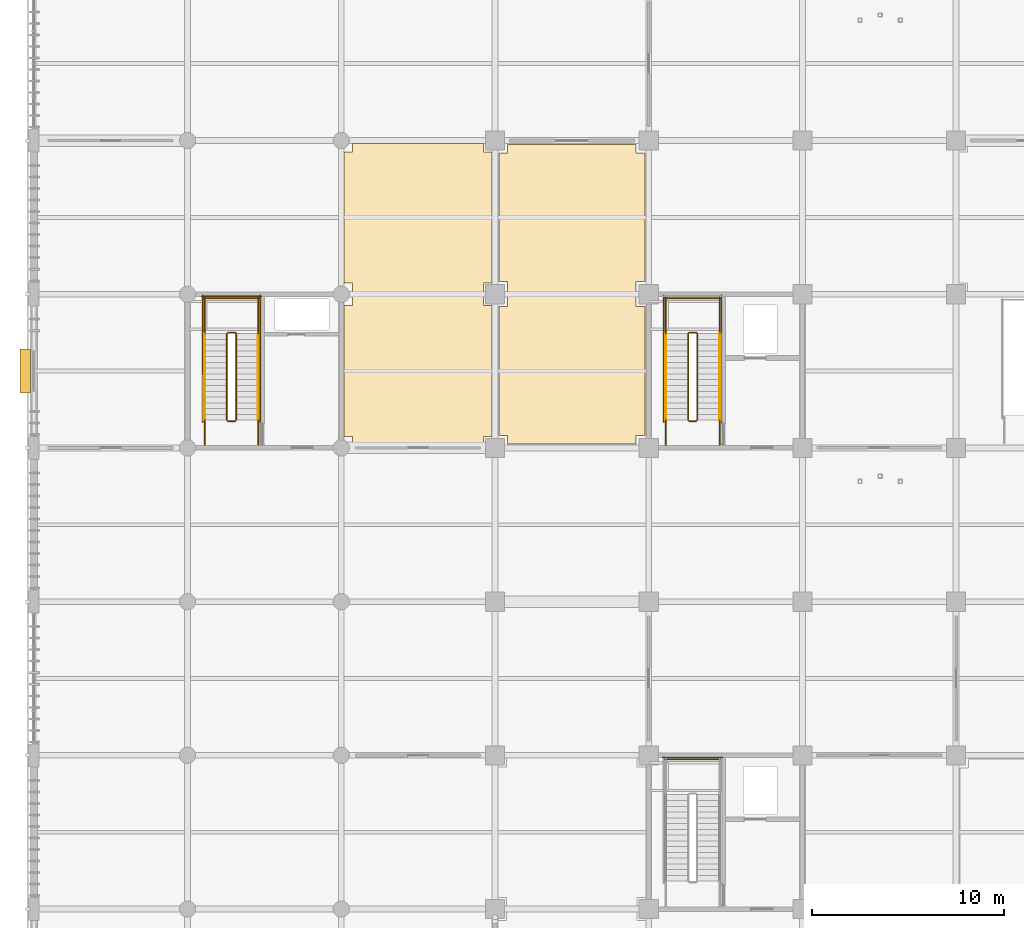
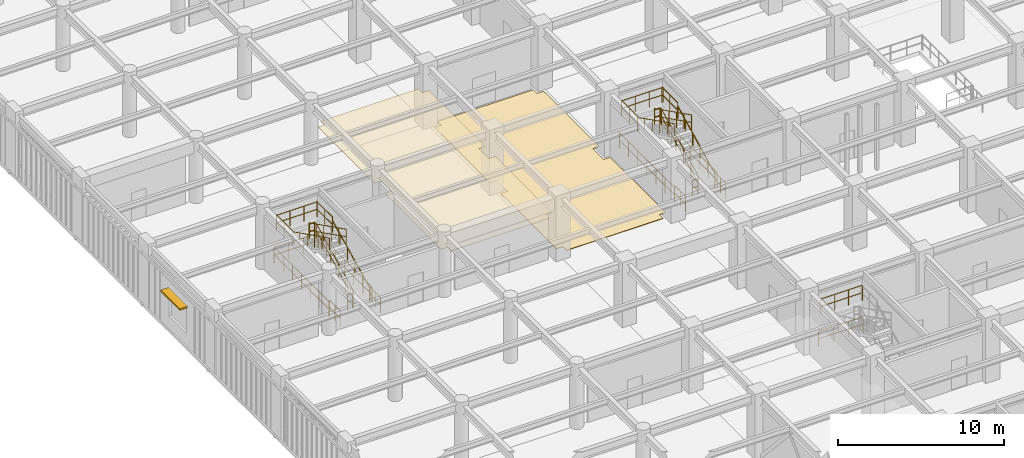
# One storey, part 102 of 117: 29 railings, 2 coverings, 1 shading device.
"""IFC4 building model written with IfcOpenShell, lengths in metres."""

import ifcopenshell
import ifcopenshell.guid

model = None  # the IFC model being written
_history = None  # IfcOwnerHistory: only IFC2X3 demands one
_inside = {}  # id of a spatial element -> (the spatial element, [elements in it])
_under = {}  # id of a project, library or spatial element -> (it, [spatial elements below it])
_declared = {}  # id of a project -> (the project, [libraries it declares])
_typed = {}  # id of a type object -> (the type object, [elements of that type])
_made_of = {}  # id of a material, layer set ... -> (it, [elements and type objects made of it])


def new_model(schema):
    """Start an empty IFC model of exactly this schema.

    Asked for "IFC4X3", IfcOpenShell would pick the latest addendum, in which some entities
    have other attributes; the version numbers below select the first issue.
    IFC2X3 requires an IfcOwnerHistory on every rooted entity: one is made here for all.
    """
    global model, _history
    if schema == "IFC4X3":
        model = ifcopenshell.file(schema_version=(4, 3, 0, 0))
    else:
        model = ifcopenshell.file(schema=schema)
    _inside.clear()
    _under.clear()
    _declared.clear()
    _typed.clear()
    _made_of.clear()
    _history = None
    if model.schema == "IFC2X3":
        org = make("IfcOrganization", Name="unknown")
        user = make(
            "IfcPersonAndOrganization",
            ThePerson=make("IfcPerson", FamilyName="unknown"),
            TheOrganization=org,
        )
        app = make(
            "IfcApplication",
            ApplicationDeveloper=org,
            Version="unknown",
            ApplicationFullName="unknown",
            ApplicationIdentifier="unknown",
        )
        _history = make(
            "IfcOwnerHistory",
            OwningUser=user,
            OwningApplication=app,
            ChangeAction="ADDED",
            CreationDate=0,
        )
    return model


def make(cls, **values):
    """One entity of the class cls with the attributes given. An attribute that is None is left unset."""
    return model.create_entity(
        cls, **{name: value for name, value in values.items() if value is not None}
    )


def rooted(cls, **values):
    """An entity with a GlobalId (a new one), such as an element, a storey or a relation."""
    return make(cls, GlobalId=ifcopenshell.guid.new(), OwnerHistory=_history, **values)


def si_unit(unit_type, name, prefix=None):
    """IfcSIUnit, for example si_unit("LENGTHUNIT", "METRE", prefix="MILLI")."""
    return make("IfcSIUnit", UnitType=unit_type, Prefix=prefix, Name=name)


def assignment(units):
    """IfcUnitAssignment: the units of a project."""
    return None if units is None else make("IfcUnitAssignment", Units=units)


def point(xyz):
    """IfcCartesianPoint."""
    return None if xyz is None else make("IfcCartesianPoint", Coordinates=xyz)


def direction(xyz):
    """IfcDirection."""
    return None if xyz is None else make("IfcDirection", DirectionRatios=xyz)


def frame(location, z_axis=None, x_axis=None):
    """IfcAxis2Placement3D, a coordinate frame: its origin and axes. An axis left out is left unset."""
    return make(
        "IfcAxis2Placement3D",
        Location=point(location),
        Axis=direction(z_axis),
        RefDirection=direction(x_axis),
    )


def frame_2d(location, x_axis=None):
    """IfcAxis2Placement2D, a coordinate frame in the plane: its origin and x axis."""
    return make(
        "IfcAxis2Placement2D", Location=point(location), RefDirection=direction(x_axis)
    )


def origin():
    """The frame at (0, 0, 0) with its axes left unset."""
    return frame((0.0, 0.0, 0.0))


def origin_2d():
    """The frame at (0, 0) in the plane with its x axis left unset."""
    return frame_2d((0.0, 0.0))


def place(relative_to, where):
    """IfcLocalPlacement: puts the frame where relative to a parent placement (None: the world)."""
    return make(
        "IfcLocalPlacement", PlacementRelTo=relative_to, RelativePlacement=where
    )


def context(
    kind, dimensions, precision=None, world=None, true_north=None, identifier=None
):
    """IfcGeometricRepresentationContext, for example the 3D "Model" context."""
    return make(
        "IfcGeometricRepresentationContext",
        ContextIdentifier=identifier,
        ContextType=kind,
        CoordinateSpaceDimension=dimensions,
        Precision=precision,
        WorldCoordinateSystem=world,
        TrueNorth=true_north,
    )


def subcontext(parent, identifier, kind, view, scale=None):
    """IfcGeometricRepresentationSubContext, for example "Body" below "Model"."""
    return make(
        "IfcGeometricRepresentationSubContext",
        ContextIdentifier=identifier,
        ContextType=kind,
        ParentContext=parent,
        TargetScale=scale,
        TargetView=view,
    )


def project(units=None, contexts=None):
    """IfcProject with its units and contexts."""
    return rooted(
        "IfcProject",
        Name="project",
        RepresentationContexts=contexts,
        UnitsInContext=assignment(units),
    )


def spatial(cls, under=None, at=None, **own):
    """A site, building, storey or space (cls), placed at a placement, below another one or the project."""
    s = rooted(cls, ObjectPlacement=at, **own)
    if under is not None:
        _under.setdefault(under.id(), (under, []))[1].append(s)
    return s


def polyline(points):
    """IfcPolyline through the points."""
    return make("IfcPolyline", Points=[point(p) for p in points])


def profile(cls, at=None, kind="AREA", **sizes):
    """A parametric profile (cls). Its sizes go by their IFC names, for example OverallWidth=200.0."""
    return make(cls, ProfileType=kind, Position=at, **sizes)


def rectangle(**sizes):
    """IfcRectangleProfileDef."""
    return profile("IfcRectangleProfileDef", **sizes)


def circle(**sizes):
    """IfcCircleProfileDef."""
    return profile("IfcCircleProfileDef", **sizes)


def outline(outer, holes=None, kind="AREA"):
    """IfcArbitraryClosedProfileDef: a profile drawn as a closed curve; with holes, ...WithVoids."""
    if holes is None:
        return make("IfcArbitraryClosedProfileDef", ProfileType=kind, OuterCurve=outer)
    return make(
        "IfcArbitraryProfileDefWithVoids",
        ProfileType=kind,
        OuterCurve=outer,
        InnerCurves=holes,
    )


def extrude(swept, where, along, depth):
    """IfcExtrudedAreaSolid: the profile swept, set in the frame where, extruded along a direction by depth."""
    return make(
        "IfcExtrudedAreaSolid",
        SweptArea=swept,
        Position=where,
        ExtrudedDirection=direction(along),
        Depth=depth,
    )


def shape(context_of_items, identifier, shape_type, items):
    """IfcShapeRepresentation: the items that make up one representation, for example the "Body"."""
    return make(
        "IfcShapeRepresentation",
        ContextOfItems=context_of_items,
        RepresentationIdentifier=identifier,
        RepresentationType=shape_type,
        Items=items,
    )


def material(Name=None, Category=None):
    """IfcMaterial."""
    return make("IfcMaterial", Name=Name, Category=Category)


def layer(
    of_material, thickness, ventilated=None, Name=None, Category=None, Priority=None
):
    """IfcMaterialLayer: one layer of a wall or slab, of a material (None: an air gap)."""
    return make(
        "IfcMaterialLayer",
        Material=of_material,
        LayerThickness=thickness,
        IsVentilated=ventilated,
        Name=Name,
        Category=Category,
        Priority=Priority,
    )


def layer_set(layers, Name=None):
    """IfcMaterialLayerSet."""
    return make("IfcMaterialLayerSet", MaterialLayers=layers, LayerSetName=Name)


def made_of(thing, what):
    """Note that an element or type object is made of a material, layer set ...; save() writes the relation."""
    if what is not None:
        _made_of.setdefault(what.id(), (what, []))[1].append(thing)
    return thing


def type_object(cls, material=None, **own):
    """A type object (cls), such as IfcWallType, which elements share."""
    return made_of(rooted(cls, **own), material)


def element(
    cls,
    number,
    at=None,
    inside=None,
    cuts=None,
    type_object=None,
    material=None,
    context=None,
    identifier="Body",
    shape_type=None,
    held_by="IfcProductDefinitionShape",
    body=None,
    shapes=None,
    **own,
):
    """One element of the class cls, such as IfcWall. Its Tag is "e" and its number.

    at: its placement. inside: the storey or other place that contains it. cuts: it is an
    opening in that element (IfcRelVoidsElement). A single representation is given by context,
    identifier, shape_type and body (its items); several are given by shapes. held_by: the class
    of the entity that holds the representations. save() writes the other relations.
    """
    e = rooted(cls, Tag="e%d" % number, ObjectPlacement=at, **own)
    if body is not None:
        shapes = [shape(context, identifier, shape_type, body)]
    if shapes is not None:
        e.Representation = make(held_by, Representations=shapes)
    if inside is not None:
        _inside.setdefault(inside.id(), (inside, []))[1].append(e)
    if cuts is not None:
        rooted(
            "IfcRelVoidsElement", RelatingBuildingElement=cuts, RelatedOpeningElement=e
        )
    if type_object is not None:
        _typed.setdefault(type_object.id(), (type_object, []))[1].append(e)
    return made_of(e, material)


def aggregate(whole, parts):
    """IfcRelAggregates: a whole, such as a stair, and the parts it consists of."""
    return rooted("IfcRelAggregates", RelatingObject=whole, RelatedObjects=parts)


def save(model, path):
    """Write the relations noted so far, then the file.

    IfcRelAggregates (storeys below a building ...), IfcRelContainedInSpatialStructure (elements
    in a storey), IfcRelDefinesByType, IfcRelAssociatesMaterial and IfcRelDeclares: one each for
    every whole, place, type object, material and project.
    """
    for whole, parts in _under.values():
        aggregate(whole, parts)
    for where, things in _inside.values():
        rooted(
            "IfcRelContainedInSpatialStructure",
            RelatedElements=things,
            RelatingStructure=where,
        )
    for kind, things in _typed.values():
        rooted("IfcRelDefinesByType", RelatedObjects=things, RelatingType=kind)
    for what, things in _made_of.values():
        rooted("IfcRelAssociatesMaterial", RelatedObjects=things, RelatingMaterial=what)
    for by, libraries in _declared.values():
        rooted("IfcRelDeclares", RelatingContext=by, RelatedDefinitions=libraries)
    model.write(path)


model = new_model("IFC4")

# Units and contexts
model_context = context("Model", 3, precision=1e-05, world=origin(), true_north=direction((0.0, 1.0)))
body_context = subcontext(model_context, "Body", "Model", "MODEL_VIEW")
ifc_project = project(units=[si_unit("LENGTHUNIT", "METRE"), si_unit("AREAUNIT", "SQUARE_METRE"), si_unit("VOLUMEUNIT", "CUBIC_METRE"), si_unit("PLANEANGLEUNIT", "RADIAN"), si_unit("MASSUNIT", "GRAM", prefix="KILO")], contexts=[model_context])

# Site, building, storey
site_placement = place(None, origin())
site = spatial("IfcSite", under=ifc_project, at=site_placement, CompositionType="ELEMENT")
building_placement = place(site_placement, origin())
building = spatial("IfcBuilding", under=site, at=building_placement, Name="Haebicheon Civic Stadium", CompositionType="ELEMENT")
storey_placement = place(building_placement, frame((0.0, 0.0, 4.800048828125)))
storey = spatial("IfcBuildingStorey", under=building, at=storey_placement, Name="L02", CompositionType="ELEMENT", Elevation=4.800048828125)

# Coverings
ifc_material_1 = material(Name="Perforated mineral-fibre acoustic board", Category="gypsum")
ifc_layer_1 = layer(ifc_material_1, 0.0400390625, Name="Perforated mineral-fibre acoustic board")
ifc_layer_set_1 = layer_set([ifc_layer_1], Name="Perforated mineral-fibre acoustic board")
covering_type_1 = type_object("IfcCoveringType", Name="COV-CLG-AC", PredefinedType="CEILING", material=ifc_layer_set_1)
covering_1_placement = place(storey_placement, frame((0.0, 0.0, 2.81005859375)))
element("IfcCovering", 1, at=covering_1_placement, inside=storey, type_object=covering_type_1, material=ifc_layer_set_1, Name="L02 Club Museum Archive Gallery acoustic ceiling", PredefinedType="CEILING", context=body_context, shape_type="SweptSolid", body=[
    extrude(outline(polyline([(16.594970703125, 80.14501953125), (16.594970703125, 80.594970703125), (16.14501953125, 80.594970703125), (16.14501953125, 87.405029296875), (16.594970703125, 87.405029296875), (16.594970703125, 88.594970703125), (16.14501953125, 88.594970703125), (16.14501953125, 95.405029296875), (16.594970703125, 95.405029296875), (16.594970703125, 95.85498046875), (23.405029296875, 95.85498046875), (23.405029296875, 95.405029296875), (23.85498046875, 95.405029296875), (23.85498046875, 88.594970703125), (23.405029296875, 88.594970703125), (23.405029296875, 87.405029296875), (23.85498046875, 87.405029296875), (23.85498046875, 80.594970703125), (23.405029296875, 80.594970703125), (23.405029296875, 80.14501953125), (16.594970703125, 80.14501953125)])), origin(), (0.0, 0.0, 1.0), 0.039794921875),
])
ifc_material_2 = material(Name="Quartz epoxy resin mortar", Category="concrete")
ifc_layer_2 = layer(ifc_material_2, 0.030029296875, Name="Quartz epoxy resin mortar")
ifc_layer_set_2 = layer_set([ifc_layer_2], Name="Quartz epoxy resin mortar")
covering_type_2 = type_object("IfcCoveringType", Name="COV-FLR-EPX", PredefinedType="FLOORING", material=ifc_layer_set_2)
covering_2_placement = place(storey_placement, origin())
element("IfcCovering", 2, at=covering_2_placement, inside=storey, type_object=covering_type_2, material=ifc_layer_set_2, Name="L02 Family Viewing Lounge non-slip floor finish", PredefinedType="FLOORING", context=body_context, shape_type="SweptSolid", body=[
    extrude(outline(polyline([(24.64990234375, 80.199951171875), (24.64990234375, 80.64990234375), (24.199951171875, 80.64990234375), (24.199951171875, 87.35009765625), (24.64990234375, 87.35009765625), (24.64990234375, 88.64990234375), (24.199951171875, 88.64990234375), (24.199951171875, 95.35009765625), (24.64990234375, 95.35009765625), (24.64990234375, 95.800048828125), (31.35009765625, 95.800048828125), (31.35009765625, 95.35009765625), (31.800048828125, 95.35009765625), (31.800048828125, 88.64990234375), (31.35009765625, 88.64990234375), (31.35009765625, 87.35009765625), (31.800048828125, 87.35009765625), (31.800048828125, 80.64990234375), (31.35009765625, 80.64990234375), (31.35009765625, 80.199951171875), (24.64990234375, 80.199951171875)])), origin(), (0.0, 0.0, 1.0), 0.030029296875),
])

# Railings
ifc_material_3 = material(Name="Galvanised painted steel SM355", Category="steel")
railing_type_1 = type_object("IfcRailingType", Name="RL-GRD-1150", PredefinedType="GUARDRAIL", material=ifc_material_3)
railing_1_placement = place(storey_placement, frame((35.739990234375, 63.7900390625, 2.39990234375)))
element("IfcRailing", 3, at=railing_1_placement, inside=storey, type_object=railing_type_1, material=ifc_material_3, Name="L02 ST-02 stair guard 5", PredefinedType="GUARDRAIL", context=body_context, shape_type="SweptSolid", body=[
    extrude(circle(Radius=0.02392578125, at=origin_2d()), frame((0.0, 0.0, 1.1259765625), z_axis=(-1.0, 0.0, 0.0), x_axis=(0.0, -1.0, 0.0)), (0.0, 0.0, 1.0), 2.89990234375),
    extrude(circle(Radius=0.02392578125, at=origin_2d()), frame((0.0, 0.0, 0.574951171875), z_axis=(-1.0, 0.0, 0.0), x_axis=(0.0, -1.0, 0.0)), (0.0, 0.0, 1.0), 2.89990234375),
    extrude(circle(Radius=0.02099609375, at=origin_2d()), origin(), (0.0, 0.0, 1.0), 1.101806640625),
    extrude(circle(Radius=0.02099609375, at=origin_2d()), frame((-0.966552734375, 0.0, 0.0)), (0.0, 0.0, 1.0), 1.101806640625),
    extrude(circle(Radius=0.02099609375, at=origin_2d()), frame((-1.933349609375, 0.0, 0.0)), (0.0, 0.0, 1.0), 1.101806640625),
    extrude(circle(Radius=0.02099609375, at=origin_2d()), frame((-2.89990234375, 0.0, 0.0)), (0.0, 0.0, 1.0), 1.101806640625),
])
railing_2_placement = place(storey_placement, frame((35.840087890625, 63.889892578125, 0.0)))
element("IfcRailing", 4, at=railing_2_placement, inside=storey, type_object=railing_type_1, material=ifc_material_3, Name="L02 ST-02 stair guard 12", PredefinedType="GUARDRAIL", context=body_context, shape_type="SweptSolid", body=[
    extrude(circle(Radius=0.02392578125, at=origin_2d()), frame((0.0, 0.0, 1.1259765625), z_axis=(-1.0, 0.0, 0.0), x_axis=(0.0, -1.0, 0.0)), (0.0, 0.0, 1.0), 3.10009765625),
    extrude(circle(Radius=0.02392578125, at=origin_2d()), frame((0.0, 0.0, 0.574951171875), z_axis=(-1.0, 0.0, 0.0), x_axis=(0.0, -1.0, 0.0)), (0.0, 0.0, 1.0), 3.10009765625),
    extrude(circle(Radius=0.02099609375, at=origin_2d()), origin(), (0.0, 0.0, 1.0), 1.101806640625),
    extrude(circle(Radius=0.02099609375, at=origin_2d()), frame((-1.033447265625, 0.0, 0.0)), (0.0, 0.0, 1.0), 1.101806640625),
    extrude(circle(Radius=0.02099609375, at=origin_2d()), frame((-2.066650390625, 0.0, 0.0)), (0.0, 0.0, 1.0), 1.101806640625),
    extrude(circle(Radius=0.02099609375, at=origin_2d()), frame((-3.10009765625, 0.0, 0.0)), (0.0, 0.0, 1.0), 1.101806640625),
])
railing_3_placement = place(storey_placement, frame((34.530029296875, 81.449951171875, 0.14990234375)))
element("IfcRailing", 5, at=railing_3_placement, inside=storey, type_object=railing_type_1, material=ifc_material_3, Name="L02 ST-03 stair guard 1", PredefinedType="GUARDRAIL", context=body_context, shape_type="SweptSolid", body=[
    extrude(circle(Radius=0.02392578125, at=origin_2d()), frame((0.0, 0.0, 1.1259765625), z_axis=(0.0, 0.894427191, 0.4472135955), x_axis=(-1.0, 0.0, 0.0)), (0.0, 0.0, 1.0), 5.03125),
    extrude(circle(Radius=0.02392578125, at=origin_2d()), frame((0.0, 0.0, 0.574951171875), z_axis=(0.0, 0.894427191, 0.4472135955), x_axis=(-1.0, 0.0, 0.0)), (0.0, 0.0, 1.0), 5.03125),
    extrude(circle(Radius=0.02099609375, at=origin_2d()), origin(), (0.0, 0.0, 1.0), 1.101806640625),
    extrude(circle(Radius=0.02099609375, at=origin_2d()), frame((0.0, 0.89990234375, 0.449951171875)), (0.0, 0.0, 1.0), 1.101806640625),
    extrude(circle(Radius=0.02099609375, at=origin_2d()), frame((0.0, 1.800048828125, 0.89990234375)), (0.0, 0.0, 1.0), 1.101806640625),
    extrude(circle(Radius=0.02099609375, at=origin_2d()), frame((0.0, 2.699951171875, 1.35009765625)), (0.0, 0.0, 1.0), 1.101806640625),
    extrude(circle(Radius=0.02099609375, at=origin_2d()), frame((0.0, 3.60009765625, 1.800048828125)), (0.0, 0.0, 1.0), 1.101806640625),
    extrude(circle(Radius=0.02099609375, at=origin_2d()), frame((0.0, 4.5, 2.25)), (0.0, 0.0, 1.0), 1.101806640625),
])
railing_4_placement = place(storey_placement, frame((34.47998046875, 86.0, 2.39990234375)))
element("IfcRailing", 6, at=railing_4_placement, inside=storey, type_object=railing_type_1, material=ifc_material_3, Name="L02 ST-03 stair guard 2", PredefinedType="GUARDRAIL", context=body_context, shape_type="SweptSolid", body=[
    extrude(circle(Radius=0.02392578125, at=origin_2d()), frame((0.0, 0.0, 1.1259765625), z_axis=(-1.0, 0.0, 0.0), x_axis=(0.0, -1.0, 0.0)), (0.0, 0.0, 1.0), 0.3798828125),
    extrude(circle(Radius=0.02392578125, at=origin_2d()), frame((0.0, 0.0, 0.574951171875), z_axis=(-1.0, 0.0, 0.0), x_axis=(0.0, -1.0, 0.0)), (0.0, 0.0, 1.0), 0.3798828125),
    extrude(circle(Radius=0.02099609375, at=origin_2d()), origin(), (0.0, 0.0, 1.0), 1.101806640625),
    extrude(circle(Radius=0.02099609375, at=origin_2d()), frame((-0.3798828125, 0.0, 0.0)), (0.0, 0.0, 1.0), 1.101806640625),
])
for number, where, name in (
    (7, (35.68994140625, 85.949951171875, 2.39990234375), "L02 ST-03 stair guard 3"),
    (8, (32.889892578125, 85.949951171875, 2.39990234375), "L02 ST-03 stair guard 4"),
):
    element("IfcRailing", number, at=place(storey_placement, frame(where)), inside=storey, type_object=railing_type_1, material=ifc_material_3, Name=name, PredefinedType="GUARDRAIL", context=body_context, shape_type="SweptSolid", body=[
        extrude(circle(Radius=0.02392578125, at=origin_2d()), frame((0.0, 0.0, 1.1259765625), z_axis=(0.0, 1.0, 0.0), x_axis=(-1.0, 0.0, 0.0)), (0.0, 0.0, 1.0), 1.89013671875),
        extrude(circle(Radius=0.02392578125, at=origin_2d()), frame((0.0, 0.0, 0.574951171875), z_axis=(0.0, 1.0, 0.0), x_axis=(-1.0, 0.0, 0.0)), (0.0, 0.0, 1.0), 1.89013671875),
        extrude(circle(Radius=0.02099609375, at=origin_2d()), origin(), (0.0, 0.0, 1.0), 1.101806640625),
        extrude(circle(Radius=0.02099609375, at=origin_2d()), frame((0.0, 0.945068359375, 0.0)), (0.0, 0.0, 1.0), 1.101806640625),
        extrude(circle(Radius=0.02099609375, at=origin_2d()), frame((0.0, 1.89013671875, 0.0)), (0.0, 0.0, 1.0), 1.101806640625),
    ])
railing_5_placement = place(storey_placement, frame((35.739990234375, 87.7900390625, 2.39990234375)))
element("IfcRailing", 9, at=railing_5_placement, inside=storey, type_object=railing_type_1, material=ifc_material_3, Name="L02 ST-03 stair guard 5", PredefinedType="GUARDRAIL", context=body_context, shape_type="SweptSolid", body=[
    extrude(circle(Radius=0.02392578125, at=origin_2d()), frame((0.0, 0.0, 1.1259765625), z_axis=(-1.0, 0.0, 0.0), x_axis=(0.0, -1.0, 0.0)), (0.0, 0.0, 1.0), 2.89990234375),
    extrude(circle(Radius=0.02392578125, at=origin_2d()), frame((0.0, 0.0, 0.574951171875), z_axis=(-1.0, 0.0, 0.0), x_axis=(0.0, -1.0, 0.0)), (0.0, 0.0, 1.0), 2.89990234375),
    extrude(circle(Radius=0.02099609375, at=origin_2d()), origin(), (0.0, 0.0, 1.0), 1.101806640625),
    extrude(circle(Radius=0.02099609375, at=origin_2d()), frame((-0.966552734375, 0.0, 0.0)), (0.0, 0.0, 1.0), 1.101806640625),
    extrude(circle(Radius=0.02099609375, at=origin_2d()), frame((-1.933349609375, 0.0, 0.0)), (0.0, 0.0, 1.0), 1.101806640625),
    extrude(circle(Radius=0.02099609375, at=origin_2d()), frame((-2.89990234375, 0.0, 0.0)), (0.0, 0.0, 1.0), 1.101806640625),
])
railing_6_placement = place(storey_placement, frame((34.050048828125, 85.949951171875, 2.550048828125)))
element("IfcRailing", 10, at=railing_6_placement, inside=storey, type_object=railing_type_1, material=ifc_material_3, Name="L02 ST-03 stair guard 6", PredefinedType="GUARDRAIL", context=body_context, shape_type="SweptSolid", body=[
    extrude(circle(Radius=0.02392578125, at=origin_2d()), frame((0.0, 0.0, 1.1259765625), z_axis=(0.0, -0.894427191, 0.4472135955), x_axis=(1.0, 0.0, 0.0)), (0.0, 0.0, 1.0), 5.03125),
    extrude(circle(Radius=0.02392578125, at=origin_2d()), frame((0.0, 0.0, 0.574951171875), z_axis=(0.0, -0.894427191, 0.4472135955), x_axis=(1.0, 0.0, 0.0)), (0.0, 0.0, 1.0), 5.03125),
    extrude(circle(Radius=0.02099609375, at=origin_2d()), origin(), (0.0, 0.0, 1.0), 1.101806640625),
    extrude(circle(Radius=0.02099609375, at=origin_2d()), frame((0.0, -0.89990234375, 0.449951171875)), (0.0, 0.0, 1.0), 1.101806640625),
    extrude(circle(Radius=0.02099609375, at=origin_2d()), frame((0.0, -1.800048828125, 0.89990234375)), (0.0, 0.0, 1.0), 1.101806640625),
    extrude(circle(Radius=0.02099609375, at=origin_2d()), frame((0.0, -2.699951171875, 1.35009765625)), (0.0, 0.0, 1.0), 1.101806640625),
    extrude(circle(Radius=0.02099609375, at=origin_2d()), frame((0.0, -3.60009765625, 1.800048828125)), (0.0, 0.0, 1.0), 1.101806640625),
    extrude(circle(Radius=0.02099609375, at=origin_2d()), frame((0.0, -4.5, 2.25)), (0.0, 0.0, 1.0), 1.101806640625),
])
railing_7_placement = place(storey_placement, frame((34.47998046875, 81.39990234375, 0.0)))
element("IfcRailing", 11, at=railing_7_placement, inside=storey, type_object=railing_type_1, material=ifc_material_3, Name="L02 ST-03 stair guard 7", PredefinedType="GUARDRAIL", context=body_context, shape_type="SweptSolid", body=[
    extrude(circle(Radius=0.02392578125, at=origin_2d()), frame((0.0, 0.0, 1.1259765625), z_axis=(-1.0, 0.0, 0.0), x_axis=(0.0, -1.0, 0.0)), (0.0, 0.0, 1.0), 0.3798828125),
    extrude(circle(Radius=0.02392578125, at=origin_2d()), frame((0.0, 0.0, 0.574951171875), z_axis=(-1.0, 0.0, 0.0), x_axis=(0.0, -1.0, 0.0)), (0.0, 0.0, 1.0), 0.3798828125),
    extrude(circle(Radius=0.02099609375, at=origin_2d()), origin(), (0.0, 0.0, 1.0), 1.101806640625),
    extrude(circle(Radius=0.02099609375, at=origin_2d()), frame((-0.3798828125, 0.0, 0.0)), (0.0, 0.0, 1.0), 1.101806640625),
])
for number, where, name in (
    (12, (35.68994140625, 80.159912109375, 0.0), "L02 ST-03 stair guard 8"),
    (13, (32.889892578125, 80.159912109375, 0.0), "L02 ST-03 stair guard 9"),
):
    element("IfcRailing", number, at=place(storey_placement, frame(where)), inside=storey, type_object=railing_type_1, material=ifc_material_3, Name=name, PredefinedType="GUARDRAIL", context=body_context, shape_type="SweptSolid", body=[
        extrude(circle(Radius=0.02392578125, at=origin_2d()), frame((0.0, 0.0, 1.1259765625), z_axis=(0.0, 1.0, 0.0), x_axis=(-1.0, 0.0, 0.0)), (0.0, 0.0, 1.0), 1.2900390625),
        extrude(circle(Radius=0.02392578125, at=origin_2d()), frame((0.0, 0.0, 0.574951171875), z_axis=(0.0, 1.0, 0.0), x_axis=(-1.0, 0.0, 0.0)), (0.0, 0.0, 1.0), 1.2900390625),
        extrude(circle(Radius=0.02099609375, at=origin_2d()), origin(), (0.0, 0.0, 1.0), 1.101806640625),
        extrude(circle(Radius=0.02099609375, at=origin_2d()), frame((0.0, 0.64501953125, 0.0)), (0.0, 0.0, 1.0), 1.101806640625),
        extrude(circle(Radius=0.02099609375, at=origin_2d()), frame((0.0, 1.2900390625, 0.0)), (0.0, 0.0, 1.0), 1.101806640625),
    ])
for number, where, name in (
    (14, (35.7900390625, 81.35009765625, 0.0), "L02 ST-03 stair guard 10"),
    (15, (32.7900390625, 81.35009765625, 0.0), "L02 ST-03 stair guard 11"),
):
    element("IfcRailing", number, at=place(storey_placement, frame(where)), inside=storey, type_object=railing_type_1, material=ifc_material_3, Name=name, PredefinedType="GUARDRAIL", context=body_context, shape_type="SweptSolid", body=[
        extrude(circle(Radius=0.02392578125, at=origin_2d()), frame((0.0, 0.0, 1.1259765625), z_axis=(0.0, 1.0, 0.0), x_axis=(-1.0, 0.0, 0.0)), (0.0, 0.0, 1.0), 6.58984375),
        extrude(circle(Radius=0.02392578125, at=origin_2d()), frame((0.0, 0.0, 0.574951171875), z_axis=(0.0, 1.0, 0.0), x_axis=(-1.0, 0.0, 0.0)), (0.0, 0.0, 1.0), 6.58984375),
        extrude(circle(Radius=0.02099609375, at=origin_2d()), origin(), (0.0, 0.0, 1.0), 1.101806640625),
        extrude(circle(Radius=0.02099609375, at=origin_2d()), frame((0.0, 1.098388671875, 0.0)), (0.0, 0.0, 1.0), 1.101806640625),
        extrude(circle(Radius=0.02099609375, at=origin_2d()), frame((0.0, 2.196533203125, 0.0)), (0.0, 0.0, 1.0), 1.101806640625),
        extrude(circle(Radius=0.02099609375, at=origin_2d()), frame((0.0, 3.294921875, 0.0)), (0.0, 0.0, 1.0), 1.101806640625),
        extrude(circle(Radius=0.02099609375, at=origin_2d()), frame((0.0, 4.393310546875, 0.0)), (0.0, 0.0, 1.0), 1.101806640625),
        extrude(circle(Radius=0.02099609375, at=origin_2d()), frame((0.0, 5.491455078125, 0.0)), (0.0, 0.0, 1.0), 1.101806640625),
        extrude(circle(Radius=0.02099609375, at=origin_2d()), frame((0.0, 6.58984375, 0.0)), (0.0, 0.0, 1.0), 1.101806640625),
    ])
railing_8_placement = place(storey_placement, frame((10.530029296875, 81.449951171875, 0.14990234375)))
element("IfcRailing", 16, at=railing_8_placement, inside=storey, type_object=railing_type_1, material=ifc_material_3, Name="L02 ST-15 stair guard 1", PredefinedType="GUARDRAIL", context=body_context, shape_type="SweptSolid", body=[
    extrude(circle(Radius=0.02392578125, at=origin_2d()), frame((0.0, 0.0, 1.1259765625), z_axis=(0.0, 0.894427191, 0.4472135955), x_axis=(-1.0, 0.0, 0.0)), (0.0, 0.0, 1.0), 5.03125),
    extrude(circle(Radius=0.02392578125, at=origin_2d()), frame((0.0, 0.0, 0.574951171875), z_axis=(0.0, 0.894427191, 0.4472135955), x_axis=(-1.0, 0.0, 0.0)), (0.0, 0.0, 1.0), 5.03125),
    extrude(circle(Radius=0.02099609375, at=origin_2d()), origin(), (0.0, 0.0, 1.0), 1.101806640625),
    extrude(circle(Radius=0.02099609375, at=origin_2d()), frame((0.0, 0.89990234375, 0.449951171875)), (0.0, 0.0, 1.0), 1.101806640625),
    extrude(circle(Radius=0.02099609375, at=origin_2d()), frame((0.0, 1.800048828125, 0.89990234375)), (0.0, 0.0, 1.0), 1.101806640625),
    extrude(circle(Radius=0.02099609375, at=origin_2d()), frame((0.0, 2.699951171875, 1.35009765625)), (0.0, 0.0, 1.0), 1.101806640625),
    extrude(circle(Radius=0.02099609375, at=origin_2d()), frame((0.0, 3.60009765625, 1.800048828125)), (0.0, 0.0, 1.0), 1.101806640625),
    extrude(circle(Radius=0.02099609375, at=origin_2d()), frame((0.0, 4.5, 2.25)), (0.0, 0.0, 1.0), 1.101806640625),
])
railing_9_placement = place(storey_placement, frame((10.47998046875, 86.0, 2.39990234375)))
element("IfcRailing", 17, at=railing_9_placement, inside=storey, type_object=railing_type_1, material=ifc_material_3, Name="L02 ST-15 stair guard 2", PredefinedType="GUARDRAIL", context=body_context, shape_type="SweptSolid", body=[
    extrude(circle(Radius=0.02392578125, at=origin_2d()), frame((0.0, 0.0, 1.1259765625), z_axis=(-1.0, 0.0, 0.0), x_axis=(0.0, -1.0, 0.0)), (0.0, 0.0, 1.0), 0.3798828125),
    extrude(circle(Radius=0.02392578125, at=origin_2d()), frame((0.0, 0.0, 0.574951171875), z_axis=(-1.0, 0.0, 0.0), x_axis=(0.0, -1.0, 0.0)), (0.0, 0.0, 1.0), 0.3798828125),
    extrude(circle(Radius=0.02099609375, at=origin_2d()), origin(), (0.0, 0.0, 1.0), 1.101806640625),
    extrude(circle(Radius=0.02099609375, at=origin_2d()), frame((-0.3798828125, 0.0, 0.0)), (0.0, 0.0, 1.0), 1.101806640625),
])
for number, where, name in (
    (18, (11.68994140625, 85.949951171875, 2.39990234375), "L02 ST-15 stair guard 3"),
    (19, (8.889892578125, 85.949951171875, 2.39990234375), "L02 ST-15 stair guard 4"),
):
    element("IfcRailing", number, at=place(storey_placement, frame(where)), inside=storey, type_object=railing_type_1, material=ifc_material_3, Name=name, PredefinedType="GUARDRAIL", context=body_context, shape_type="SweptSolid", body=[
        extrude(circle(Radius=0.02392578125, at=origin_2d()), frame((0.0, 0.0, 1.1259765625), z_axis=(0.0, 1.0, 0.0), x_axis=(-1.0, 0.0, 0.0)), (0.0, 0.0, 1.0), 1.89013671875),
        extrude(circle(Radius=0.02392578125, at=origin_2d()), frame((0.0, 0.0, 0.574951171875), z_axis=(0.0, 1.0, 0.0), x_axis=(-1.0, 0.0, 0.0)), (0.0, 0.0, 1.0), 1.89013671875),
        extrude(circle(Radius=0.02099609375, at=origin_2d()), origin(), (0.0, 0.0, 1.0), 1.101806640625),
        extrude(circle(Radius=0.02099609375, at=origin_2d()), frame((0.0, 0.945068359375, 0.0)), (0.0, 0.0, 1.0), 1.101806640625),
        extrude(circle(Radius=0.02099609375, at=origin_2d()), frame((0.0, 1.89013671875, 0.0)), (0.0, 0.0, 1.0), 1.101806640625),
    ])
railing_10_placement = place(storey_placement, frame((11.739990234375, 87.7900390625, 2.39990234375)))
element("IfcRailing", 20, at=railing_10_placement, inside=storey, type_object=railing_type_1, material=ifc_material_3, Name="L02 ST-15 stair guard 5", PredefinedType="GUARDRAIL", context=body_context, shape_type="SweptSolid", body=[
    extrude(circle(Radius=0.02392578125, at=origin_2d()), frame((0.0, 0.0, 1.1259765625), z_axis=(-1.0, 0.0, 0.0), x_axis=(0.0, -1.0, 0.0)), (0.0, 0.0, 1.0), 2.89990234375),
    extrude(circle(Radius=0.02392578125, at=origin_2d()), frame((0.0, 0.0, 0.574951171875), z_axis=(-1.0, 0.0, 0.0), x_axis=(0.0, -1.0, 0.0)), (0.0, 0.0, 1.0), 2.89990234375),
    extrude(circle(Radius=0.02099609375, at=origin_2d()), origin(), (0.0, 0.0, 1.0), 1.101806640625),
    extrude(circle(Radius=0.02099609375, at=origin_2d()), frame((-0.966552734375, 0.0, 0.0)), (0.0, 0.0, 1.0), 1.101806640625),
    extrude(circle(Radius=0.02099609375, at=origin_2d()), frame((-1.933349609375, 0.0, 0.0)), (0.0, 0.0, 1.0), 1.101806640625),
    extrude(circle(Radius=0.02099609375, at=origin_2d()), frame((-2.89990234375, 0.0, 0.0)), (0.0, 0.0, 1.0), 1.101806640625),
])
railing_11_placement = place(storey_placement, frame((10.050048828125, 85.949951171875, 2.550048828125)))
element("IfcRailing", 21, at=railing_11_placement, inside=storey, type_object=railing_type_1, material=ifc_material_3, Name="L02 ST-15 stair guard 6", PredefinedType="GUARDRAIL", context=body_context, shape_type="SweptSolid", body=[
    extrude(circle(Radius=0.02392578125, at=origin_2d()), frame((0.0, 0.0, 1.1259765625), z_axis=(0.0, -0.894427191, 0.4472135955), x_axis=(1.0, 0.0, 0.0)), (0.0, 0.0, 1.0), 5.03125),
    extrude(circle(Radius=0.02392578125, at=origin_2d()), frame((0.0, 0.0, 0.574951171875), z_axis=(0.0, -0.894427191, 0.4472135955), x_axis=(1.0, 0.0, 0.0)), (0.0, 0.0, 1.0), 5.03125),
    extrude(circle(Radius=0.02099609375, at=origin_2d()), origin(), (0.0, 0.0, 1.0), 1.101806640625),
    extrude(circle(Radius=0.02099609375, at=origin_2d()), frame((0.0, -0.89990234375, 0.449951171875)), (0.0, 0.0, 1.0), 1.101806640625),
    extrude(circle(Radius=0.02099609375, at=origin_2d()), frame((0.0, -1.800048828125, 0.89990234375)), (0.0, 0.0, 1.0), 1.101806640625),
    extrude(circle(Radius=0.02099609375, at=origin_2d()), frame((0.0, -2.699951171875, 1.35009765625)), (0.0, 0.0, 1.0), 1.101806640625),
    extrude(circle(Radius=0.02099609375, at=origin_2d()), frame((0.0, -3.60009765625, 1.800048828125)), (0.0, 0.0, 1.0), 1.101806640625),
    extrude(circle(Radius=0.02099609375, at=origin_2d()), frame((0.0, -4.5, 2.25)), (0.0, 0.0, 1.0), 1.101806640625),
])
railing_12_placement = place(storey_placement, frame((10.47998046875, 81.39990234375, 0.0)))
element("IfcRailing", 22, at=railing_12_placement, inside=storey, type_object=railing_type_1, material=ifc_material_3, Name="L02 ST-15 stair guard 7", PredefinedType="GUARDRAIL", context=body_context, shape_type="SweptSolid", body=[
    extrude(circle(Radius=0.02392578125, at=origin_2d()), frame((0.0, 0.0, 1.1259765625), z_axis=(-1.0, 0.0, 0.0), x_axis=(0.0, -1.0, 0.0)), (0.0, 0.0, 1.0), 0.3798828125),
    extrude(circle(Radius=0.02392578125, at=origin_2d()), frame((0.0, 0.0, 0.574951171875), z_axis=(-1.0, 0.0, 0.0), x_axis=(0.0, -1.0, 0.0)), (0.0, 0.0, 1.0), 0.3798828125),
    extrude(circle(Radius=0.02099609375, at=origin_2d()), origin(), (0.0, 0.0, 1.0), 1.101806640625),
    extrude(circle(Radius=0.02099609375, at=origin_2d()), frame((-0.3798828125, 0.0, 0.0)), (0.0, 0.0, 1.0), 1.101806640625),
])
for number, where, name in (
    (23, (11.68994140625, 80.159912109375, 0.0), "L02 ST-15 stair guard 8"),
    (24, (8.889892578125, 80.159912109375, 0.0), "L02 ST-15 stair guard 9"),
):
    element("IfcRailing", number, at=place(storey_placement, frame(where)), inside=storey, type_object=railing_type_1, material=ifc_material_3, Name=name, PredefinedType="GUARDRAIL", context=body_context, shape_type="SweptSolid", body=[
        extrude(circle(Radius=0.02392578125, at=origin_2d()), frame((0.0, 0.0, 1.1259765625), z_axis=(0.0, 1.0, 0.0), x_axis=(-1.0, 0.0, 0.0)), (0.0, 0.0, 1.0), 1.2900390625),
        extrude(circle(Radius=0.02392578125, at=origin_2d()), frame((0.0, 0.0, 0.574951171875), z_axis=(0.0, 1.0, 0.0), x_axis=(-1.0, 0.0, 0.0)), (0.0, 0.0, 1.0), 1.2900390625),
        extrude(circle(Radius=0.02099609375, at=origin_2d()), origin(), (0.0, 0.0, 1.0), 1.101806640625),
        extrude(circle(Radius=0.02099609375, at=origin_2d()), frame((0.0, 0.64501953125, 0.0)), (0.0, 0.0, 1.0), 1.101806640625),
        extrude(circle(Radius=0.02099609375, at=origin_2d()), frame((0.0, 1.2900390625, 0.0)), (0.0, 0.0, 1.0), 1.101806640625),
    ])
for number, where, name in (
    (25, (11.7900390625, 81.35009765625, 0.0), "L02 ST-15 stair guard 10"),
    (26, (8.7900390625, 81.35009765625, 0.0), "L02 ST-15 stair guard 11"),
):
    element("IfcRailing", number, at=place(storey_placement, frame(where)), inside=storey, type_object=railing_type_1, material=ifc_material_3, Name=name, PredefinedType="GUARDRAIL", context=body_context, shape_type="SweptSolid", body=[
        extrude(circle(Radius=0.02392578125, at=origin_2d()), frame((0.0, 0.0, 1.1259765625), z_axis=(0.0, 1.0, 0.0), x_axis=(-1.0, 0.0, 0.0)), (0.0, 0.0, 1.0), 6.58984375),
        extrude(circle(Radius=0.02392578125, at=origin_2d()), frame((0.0, 0.0, 0.574951171875), z_axis=(0.0, 1.0, 0.0), x_axis=(-1.0, 0.0, 0.0)), (0.0, 0.0, 1.0), 6.58984375),
        extrude(circle(Radius=0.02099609375, at=origin_2d()), origin(), (0.0, 0.0, 1.0), 1.101806640625),
        extrude(circle(Radius=0.02099609375, at=origin_2d()), frame((0.0, 1.098388671875, 0.0)), (0.0, 0.0, 1.0), 1.101806640625),
        extrude(circle(Radius=0.02099609375, at=origin_2d()), frame((0.0, 2.196533203125, 0.0)), (0.0, 0.0, 1.0), 1.101806640625),
        extrude(circle(Radius=0.02099609375, at=origin_2d()), frame((0.0, 3.294921875, 0.0)), (0.0, 0.0, 1.0), 1.101806640625),
        extrude(circle(Radius=0.02099609375, at=origin_2d()), frame((0.0, 4.393310546875, 0.0)), (0.0, 0.0, 1.0), 1.101806640625),
        extrude(circle(Radius=0.02099609375, at=origin_2d()), frame((0.0, 5.491455078125, 0.0)), (0.0, 0.0, 1.0), 1.101806640625),
        extrude(circle(Radius=0.02099609375, at=origin_2d()), frame((0.0, 6.58984375, 0.0)), (0.0, 0.0, 1.0), 1.101806640625),
    ])
railing_13_placement = place(storey_placement, frame((11.840087890625, 87.889892578125, 0.0)))
element("IfcRailing", 27, at=railing_13_placement, inside=storey, type_object=railing_type_1, material=ifc_material_3, Name="L02 ST-15 stair guard 12", PredefinedType="GUARDRAIL", context=body_context, shape_type="SweptSolid", body=[
    extrude(circle(Radius=0.02392578125, at=origin_2d()), frame((0.0, 0.0, 1.1259765625), z_axis=(-1.0, 0.0, 0.0), x_axis=(0.0, -1.0, 0.0)), (0.0, 0.0, 1.0), 3.10009765625),
    extrude(circle(Radius=0.02392578125, at=origin_2d()), frame((0.0, 0.0, 0.574951171875), z_axis=(-1.0, 0.0, 0.0), x_axis=(0.0, -1.0, 0.0)), (0.0, 0.0, 1.0), 3.10009765625),
    extrude(circle(Radius=0.02099609375, at=origin_2d()), origin(), (0.0, 0.0, 1.0), 1.101806640625),
    extrude(circle(Radius=0.02099609375, at=origin_2d()), frame((-1.033447265625, 0.0, 0.0)), (0.0, 0.0, 1.0), 1.101806640625),
    extrude(circle(Radius=0.02099609375, at=origin_2d()), frame((-2.066650390625, 0.0, 0.0)), (0.0, 0.0, 1.0), 1.101806640625),
    extrude(circle(Radius=0.02099609375, at=origin_2d()), frame((-3.10009765625, 0.0, 0.0)), (0.0, 0.0, 1.0), 1.101806640625),
])
ifc_material_4 = material(Name="Stainless steel 316", Category="steel")
railing_type_2 = type_object("IfcRailingType", Name="RL-HND-900", PredefinedType="HANDRAIL", material=ifc_material_4)
railing_14_placement = place(storey_placement, frame((35.68994140625, 81.449951171875, 0.14990234375)))
element("IfcRailing", 28, at=railing_14_placement, inside=storey, type_object=railing_type_2, material=ifc_material_4, Name="L02 ST-03 stair handrail 1", PredefinedType="HANDRAIL", context=body_context, shape_type="SweptSolid", body=[
    extrude(circle(Radius=0.02392578125, at=origin_2d()), frame((0.0, 0.0, 0.8759765625), z_axis=(0.0, 0.894427191, 0.4472135955), x_axis=(-1.0, 0.0, 0.0)), (0.0, 0.0, 1.0), 5.03125),
    extrude(circle(Radius=0.02099609375, at=origin_2d()), origin(), (0.0, 0.0, 1.0), 0.851806640625),
    extrude(circle(Radius=0.02099609375, at=origin_2d()), frame((0.0, 0.89990234375, 0.449951171875)), (0.0, 0.0, 1.0), 0.851806640625),
    extrude(circle(Radius=0.02099609375, at=origin_2d()), frame((0.0, 1.800048828125, 0.89990234375)), (0.0, 0.0, 1.0), 0.851806640625),
    extrude(circle(Radius=0.02099609375, at=origin_2d()), frame((0.0, 2.699951171875, 1.35009765625)), (0.0, 0.0, 1.0), 0.851806640625),
    extrude(circle(Radius=0.02099609375, at=origin_2d()), frame((0.0, 3.60009765625, 1.800048828125)), (0.0, 0.0, 1.0), 0.851806640625),
    extrude(circle(Radius=0.02099609375, at=origin_2d()), frame((0.0, 4.5, 2.25)), (0.0, 0.0, 1.0), 0.851806640625),
])
railing_15_placement = place(storey_placement, frame((32.889892578125, 85.949951171875, 2.550048828125)))
element("IfcRailing", 29, at=railing_15_placement, inside=storey, type_object=railing_type_2, material=ifc_material_4, Name="L02 ST-03 stair handrail 2", PredefinedType="HANDRAIL", context=body_context, shape_type="SweptSolid", body=[
    extrude(circle(Radius=0.02392578125, at=origin_2d()), frame((0.0, 0.0, 0.8759765625), z_axis=(0.0, -0.894427191, 0.4472135955), x_axis=(1.0, 0.0, 0.0)), (0.0, 0.0, 1.0), 5.03125),
    extrude(circle(Radius=0.02099609375, at=origin_2d()), origin(), (0.0, 0.0, 1.0), 0.851806640625),
    extrude(circle(Radius=0.02099609375, at=origin_2d()), frame((0.0, -0.89990234375, 0.449951171875)), (0.0, 0.0, 1.0), 0.851806640625),
    extrude(circle(Radius=0.02099609375, at=origin_2d()), frame((0.0, -1.800048828125, 0.89990234375)), (0.0, 0.0, 1.0), 0.851806640625),
    extrude(circle(Radius=0.02099609375, at=origin_2d()), frame((0.0, -2.699951171875, 1.35009765625)), (0.0, 0.0, 1.0), 0.851806640625),
    extrude(circle(Radius=0.02099609375, at=origin_2d()), frame((0.0, -3.60009765625, 1.800048828125)), (0.0, 0.0, 1.0), 0.851806640625),
    extrude(circle(Radius=0.02099609375, at=origin_2d()), frame((0.0, -4.5, 2.25)), (0.0, 0.0, 1.0), 0.851806640625),
])
railing_16_placement = place(storey_placement, frame((11.68994140625, 81.449951171875, 0.14990234375)))
element("IfcRailing", 30, at=railing_16_placement, inside=storey, type_object=railing_type_2, material=ifc_material_4, Name="L02 ST-15 stair handrail 1", PredefinedType="HANDRAIL", context=body_context, shape_type="SweptSolid", body=[
    extrude(circle(Radius=0.02392578125, at=origin_2d()), frame((0.0, 0.0, 0.8759765625), z_axis=(0.0, 0.894427191, 0.4472135955), x_axis=(-1.0, 0.0, 0.0)), (0.0, 0.0, 1.0), 5.03125),
    extrude(circle(Radius=0.02099609375, at=origin_2d()), origin(), (0.0, 0.0, 1.0), 0.851806640625),
    extrude(circle(Radius=0.02099609375, at=origin_2d()), frame((0.0, 0.89990234375, 0.449951171875)), (0.0, 0.0, 1.0), 0.851806640625),
    extrude(circle(Radius=0.02099609375, at=origin_2d()), frame((0.0, 1.800048828125, 0.89990234375)), (0.0, 0.0, 1.0), 0.851806640625),
    extrude(circle(Radius=0.02099609375, at=origin_2d()), frame((0.0, 2.699951171875, 1.35009765625)), (0.0, 0.0, 1.0), 0.851806640625),
    extrude(circle(Radius=0.02099609375, at=origin_2d()), frame((0.0, 3.60009765625, 1.800048828125)), (0.0, 0.0, 1.0), 0.851806640625),
    extrude(circle(Radius=0.02099609375, at=origin_2d()), frame((0.0, 4.5, 2.25)), (0.0, 0.0, 1.0), 0.851806640625),
])
railing_17_placement = place(storey_placement, frame((8.889892578125, 85.949951171875, 2.550048828125)))
element("IfcRailing", 31, at=railing_17_placement, inside=storey, type_object=railing_type_2, material=ifc_material_4, Name="L02 ST-15 stair handrail 2", PredefinedType="HANDRAIL", context=body_context, shape_type="SweptSolid", body=[
    extrude(circle(Radius=0.02392578125, at=origin_2d()), frame((0.0, 0.0, 0.8759765625), z_axis=(0.0, -0.894427191, 0.4472135955), x_axis=(1.0, 0.0, 0.0)), (0.0, 0.0, 1.0), 5.03125),
    extrude(circle(Radius=0.02099609375, at=origin_2d()), origin(), (0.0, 0.0, 1.0), 0.851806640625),
    extrude(circle(Radius=0.02099609375, at=origin_2d()), frame((0.0, -0.89990234375, 0.449951171875)), (0.0, 0.0, 1.0), 0.851806640625),
    extrude(circle(Radius=0.02099609375, at=origin_2d()), frame((0.0, -1.800048828125, 0.89990234375)), (0.0, 0.0, 1.0), 0.851806640625),
    extrude(circle(Radius=0.02099609375, at=origin_2d()), frame((0.0, -2.699951171875, 1.35009765625)), (0.0, 0.0, 1.0), 0.851806640625),
    extrude(circle(Radius=0.02099609375, at=origin_2d()), frame((0.0, -3.60009765625, 1.800048828125)), (0.0, 0.0, 1.0), 0.851806640625),
    extrude(circle(Radius=0.02099609375, at=origin_2d()), frame((0.0, -4.5, 2.25)), (0.0, 0.0, 1.0), 0.851806640625),
])

# Shading device
ifc_material_5 = material(Name="Anodised aluminium 6063-T6", Category="aluminium")
ifc_layer_3 = layer(ifc_material_5, 0.1201171875, Name="Anodised aluminium 6063-T6")
ifc_layer_set_3 = layer_set([ifc_layer_3], Name="Anodised aluminium 6063-T6")
shading_device_type = type_object("IfcShadingDeviceType", Name="SHD-ALU-LVR", PredefinedType="USERDEFINED", material=ifc_layer_set_3)
shading_device_placement = place(storey_placement, frame((-0.445068359375, 84.0, 2.869873046875), z_axis=(0.0, 0.0, 1.0), x_axis=(1.0, 0.0, 0.0)))
element("IfcShadingDevice", 32, at=shading_device_placement, inside=storey, type_object=shading_device_type, material=ifc_layer_set_3, Name="L02 window sunshade louvre hood 12", ObjectType="LOUVRE", PredefinedType="USERDEFINED", context=body_context, shape_type="SweptSolid", body=[
    extrude(rectangle(XDim=0.550048828125, YDim=2.300048828125, at=origin_2d()), origin(), (0.0, 0.0, 1.0), 0.1201171875),
])

save(model, "model.ifc")
